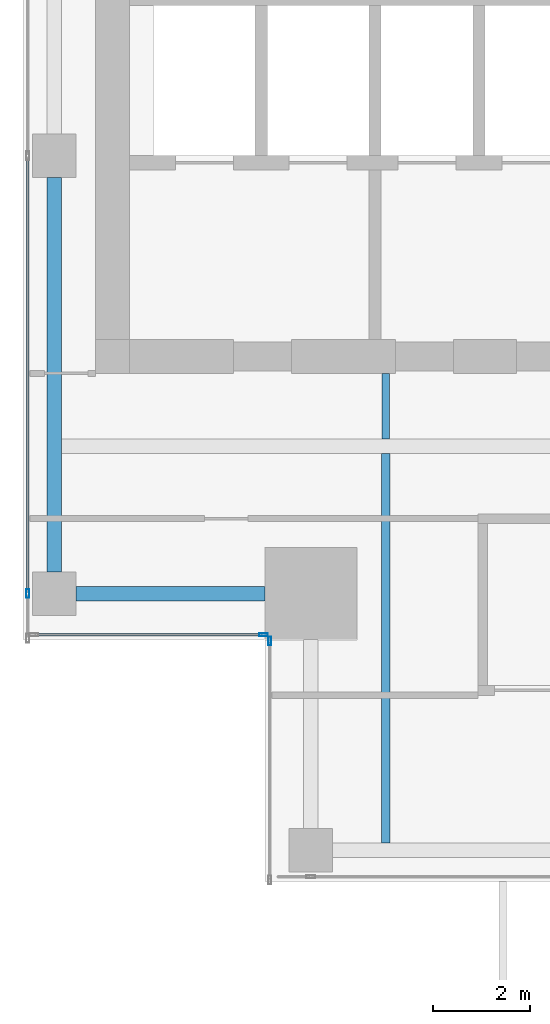
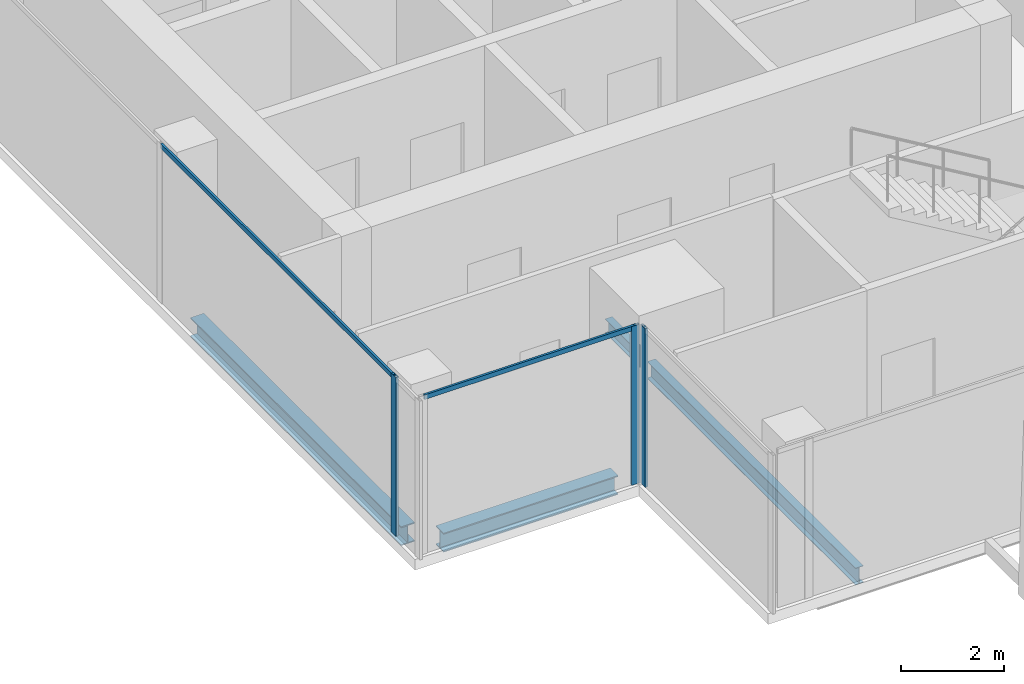
# One storey, part 3 of 35: 5 members, 4 beams, 3 elements without a shape of their own.
"""IFC4 building model written with IfcOpenShell, lengths in metres."""

from ifc_helpers import new_model, si_unit, direction, frame, origin, origin_2d, place, context, subcontext, project, spatial, hollow_rectangle, i_section, extrude, source, transform, mapped, material, material_profile, profile_set, type_object, element, aggregate, save


model = new_model("IFC4")

# Units and contexts
model_context = context("Model", 3, precision=1e-05, world=origin(), true_north=direction((0.0, 1.0)))
body_context = subcontext(model_context, "Body", "Model", "MODEL_VIEW")
ifc_project = project(units=[si_unit("LENGTHUNIT", "METRE"), si_unit("AREAUNIT", "SQUARE_METRE"), si_unit("VOLUMEUNIT", "CUBIC_METRE"), si_unit("PLANEANGLEUNIT", "RADIAN"), si_unit("MASSUNIT", "GRAM", prefix="KILO")], contexts=[model_context])

# Site, building, storey
site_placement = place(None, origin())
site = spatial("IfcSite", under=ifc_project, at=site_placement, CompositionType="ELEMENT")
building_placement = place(site_placement, origin())
building = spatial("IfcBuilding", under=site, at=building_placement, Name="Khomas Fold Tower", CompositionType="ELEMENT")
storey_placement = place(building_placement, frame((0.0, 0.0, 250.199951171875)))
storey = spatial("IfcBuildingStorey", under=building, at=storey_placement, Name="L56", CompositionType="ELEMENT", Elevation=250.199951171875)

# Beams
ifc_material_1 = material(Name="Steel S355", Category="steel")
ifc_material_profile_1 = material_profile(ifc_material_1, i_section(OverallWidth=0.159912109375, OverallDepth=0.330078125, WebThickness=0.007568359375, FlangeThickness=0.011474609375, at=origin_2d()), Name="IPE 330")
ifc_profile_set_1 = profile_set([ifc_material_profile_1], Name="Steel S355")
beam_type_1 = type_object("IfcBeamType", Name="IPE 330 beam JB1", PredefinedType="BEAM", material=ifc_profile_set_1)
shared_shape_1 = source(origin(), body_context, "Body", "SweptSolid", [
    extrude(i_section(OverallWidth=0.159912109375, OverallDepth=0.330078125, WebThickness=0.007568359375, FlangeThickness=0.011474609375, at=origin_2d()), origin(), (0.0, 0.0, 1.0), 1.35009765625),
])
beam_1_placement = place(storey_placement, frame((12.0, 13.64990234375, -0.4150390625), z_axis=(0.0, 1.0, 0.0), x_axis=(-1.0, 0.0, 0.0)))
element("IfcBeam", 1, at=beam_1_placement, inside=storey, type_object=beam_type_1, Name="JB1", PredefinedType="BEAM", context=body_context, shape_type="MappedRepresentation", body=[
    mapped(shared_shape_1, transform((0.0, 0.0, 0.0))),
])
ifc_material_2 = material(Name="Steel S355", Category="steel")
ifc_material_profile_2 = material_profile(ifc_material_2, i_section(OverallWidth=0.300048828125, OverallDepth=0.449951171875, WebThickness=0.013916015625, FlangeThickness=0.02587890625, at=origin_2d()), Name="HE 450 B")
ifc_profile_set_2 = profile_set([ifc_material_profile_2], Name="Steel S355")
beam_type_2 = type_object("IfcBeamType", Name="HE 450 B spandrel SB4", PredefinedType="SPANDREL", material=ifc_profile_set_2)
shared_shape_2 = source(origin(), body_context, "Body", "SweptSolid", [
    extrude(i_section(OverallWidth=0.300048828125, OverallDepth=0.449951171875, WebThickness=0.013916015625, FlangeThickness=0.02587890625, at=origin_2d()), origin(), (0.0, 0.0, 1.0), 8.150146484375),
])
beam_2_placement = place(storey_placement, frame((5.14990234375, 10.89990234375, -0.474853515625), z_axis=(0.0, 1.0, 0.0), x_axis=(-1.0, 0.0, 0.0)))
element("IfcBeam", 2, at=beam_2_placement, inside=storey, type_object=beam_type_2, Name="SB4", PredefinedType="SPANDREL", context=body_context, shape_type="MappedRepresentation", body=[
    mapped(shared_shape_2, transform((0.0, 0.0, 0.0))),
])
shared_shape_3 = source(origin(), body_context, "Body", "SweptSolid", [
    extrude(i_section(OverallWidth=0.300048828125, OverallDepth=0.449951171875, WebThickness=0.013916015625, FlangeThickness=0.02587890625, at=origin_2d()), origin(), (0.0, 0.0, 1.0), 3.89990234375),
])
beam_3_placement = place(storey_placement, frame((5.60009765625, 10.449951171875, -0.474853515625), z_axis=(1.0, 0.0, 0.0), x_axis=(0.0, 1.0, 0.0)))
element("IfcBeam", 3, at=beam_3_placement, inside=storey, type_object=beam_type_2, Name="SB4", PredefinedType="SPANDREL", context=body_context, shape_type="MappedRepresentation", body=[
    mapped(shared_shape_3, transform((0.0, 0.0, 0.0))),
])
ifc_material_3 = material(Name="Steel S355", Category="steel")
ifc_material_profile_3 = material_profile(ifc_material_3, i_section(OverallWidth=0.179931640625, OverallDepth=0.39990234375, WebThickness=0.008544921875, FlangeThickness=0.013427734375, at=origin_2d()), Name="IPE 400")
ifc_profile_set_3 = profile_set([ifc_material_profile_3], Name="Steel S355")
beam_type_3 = type_object("IfcBeamType", Name="IPE 400 beam JB3", PredefinedType="BEAM", material=ifc_profile_set_3)
shared_shape_4 = source(origin(), body_context, "Body", "SweptSolid", [
    extrude(i_section(OverallWidth=0.179931640625, OverallDepth=0.39990234375, WebThickness=0.008544921875, FlangeThickness=0.013427734375, at=origin_2d()), origin(), (0.0, 0.0, 1.0), 8.050048828125),
])
beam_4_placement = place(storey_placement, frame((12.0, 5.300048828125, -0.449951171875), z_axis=(0.0, 1.0, 0.0), x_axis=(-1.0, 0.0, 0.0)))
element("IfcBeam", 4, at=beam_4_placement, inside=storey, type_object=beam_type_3, Name="JB3", PredefinedType="BEAM", context=body_context, shape_type="MappedRepresentation", body=[
    mapped(shared_shape_4, transform((0.0, 0.0, 0.0))),
])

# Curtain wall, member
ifc_material_4 = material(Name="Aluminium framed double glazing", Category="aluminium")
curtain_wall_type = type_object("IfcCurtainWallType", Name="SK-Unitised clear-glass wall, office floors CW2", PredefinedType="NOTDEFINED", material=ifc_material_4)
curtain_wall_1_placement = place(storey_placement, origin())
curtain_wall_1 = element("IfcCurtainWall", 5, at=curtain_wall_1_placement, inside=storey, type_object=curtain_wall_type, Name="CW2 run L56 09-0", PredefinedType="NOTDEFINED")
ifc_material_5 = material(Name="Aluminium", Category="aluminium")
ifc_material_profile_4 = material_profile(ifc_material_5, hollow_rectangle(XDim=0.06005859375, YDim=0.179931640625, WallThickness=0.00390625, at=origin_2d()), Name="SK-Unitised clear-glass wall, office floors mullion CW2-M")
ifc_profile_set_4 = profile_set([ifc_material_profile_4], Name="Aluminium")
member_type_1 = type_object("IfcMemberType", Name="SK-Unitised clear-glass wall, office floors mullion CW2-M", PredefinedType="MULLION", material=ifc_profile_set_4)
shared_shape_5 = source(origin(), body_context, "Body", "SweptSolid", [
    extrude(hollow_rectangle(XDim=0.06005859375, YDim=0.179931640625, WallThickness=0.00390625, at=origin_2d()), origin(), (0.0, 0.0, 1.0), 3.75),
])
member_1_placement = place(storey_placement, frame((4.60009765625, 10.449951171875, 0.0), z_axis=(0.0, 0.0, 1.0), x_axis=(1.0, 0.0, 0.0)))
member_1 = element("IfcMember", 6, at=member_1_placement, type_object=member_type_1, Name="CW2 mullion 6", PredefinedType="MULLION", context=body_context, shape_type="MappedRepresentation", body=[
    mapped(shared_shape_5, transform((0.0, 0.0, 0.0))),
])

curtain_wall_2_placement = place(storey_placement, origin())
curtain_wall_2 = element("IfcCurtainWall", 7, at=curtain_wall_2_placement, inside=storey, type_object=curtain_wall_type, Name="CW2 corner return L56 10", PredefinedType="NOTDEFINED")
member_2_placement = place(storey_placement, frame((9.469970703125, 9.60009765625, 0.0), z_axis=(0.0, 0.0, 1.0), x_axis=(0.0, 1.0, 0.0)))
member_2 = element("IfcMember", 8, at=member_2_placement, type_object=member_type_1, Name="CW2 mullion 2", PredefinedType="MULLION", context=body_context, shape_type="MappedRepresentation", body=[
    mapped(shared_shape_5, transform((0.0, 0.0, 0.0))),
])

curtain_wall_3_placement = place(storey_placement, origin())
curtain_wall_3 = element("IfcCurtainWall", 9, at=curtain_wall_3_placement, inside=storey, type_object=curtain_wall_type, Name="CW2 corner return L56 11", PredefinedType="NOTDEFINED")
member_3_placement = place(storey_placement, frame((9.60009765625, 9.469970703125, 0.0), z_axis=(0.0, 0.0, 1.0), x_axis=(1.0, 0.0, 0.0)))
member_3 = element("IfcMember", 10, at=member_3_placement, type_object=member_type_1, Name="CW2 mullion 1", PredefinedType="MULLION", context=body_context, shape_type="MappedRepresentation", body=[
    mapped(shared_shape_5, transform((0.0, 0.0, 0.0))),
])
aggregate(curtain_wall_3, [member_3])

# Member
ifc_material_6 = material(Name="Aluminium", Category="aluminium")
ifc_material_profile_5 = material_profile(ifc_material_6, hollow_rectangle(XDim=0.050048828125, YDim=0.110107421875, WallThickness=0.00390625, at=origin_2d()), Name="SK-Unitised clear-glass wall, office floors transom CW2-T")
ifc_profile_set_5 = profile_set([ifc_material_profile_5], Name="Aluminium")
member_type_2 = type_object("IfcMemberType", Name="SK-Unitised clear-glass wall, office floors transom CW2-T", PredefinedType="USERDEFINED", material=ifc_profile_set_5)
shared_shape_6 = source(origin(), body_context, "Body", "SweptSolid", [
    extrude(hollow_rectangle(XDim=0.050048828125, YDim=0.110107421875, WallThickness=0.00390625, at=origin_2d()), origin(), (0.0, 0.0, 1.0), 8.989990234375),
])
member_4_placement = place(storey_placement, frame((4.60009765625, 19.469970703125, 3.695068359375), z_axis=(0.0, -1.0, 0.0), x_axis=(1.0, 0.0, 0.0)))
member_4 = element("IfcMember", 11, at=member_4_placement, type_object=member_type_2, Name="CW2 transom 5", ObjectType="TRANSOM", PredefinedType="USERDEFINED", context=body_context, shape_type="MappedRepresentation", body=[
    mapped(shared_shape_6, transform((0.0, 0.0, 0.0))),
])

aggregate(curtain_wall_1, [member_1, member_4])

shared_shape_7 = source(origin(), body_context, "Body", "SweptSolid", [
    extrude(hollow_rectangle(XDim=0.050048828125, YDim=0.110107421875, WallThickness=0.00390625, at=origin_2d()), origin(), (0.0, 0.0, 1.0), 4.679931640625),
])
member_5_placement = place(storey_placement, frame((4.760009765625, 9.60009765625, 3.695068359375), z_axis=(1.0, 0.0, 0.0), x_axis=(0.0, 1.0, 0.0)))
member_5 = element("IfcMember", 12, at=member_5_placement, type_object=member_type_2, Name="CW2 transom 1", ObjectType="TRANSOM", PredefinedType="USERDEFINED", context=body_context, shape_type="MappedRepresentation", body=[
    mapped(shared_shape_7, transform((0.0, 0.0, 0.0))),
])

aggregate(curtain_wall_2, [member_2, member_5])

save(model, "model.ifc")
